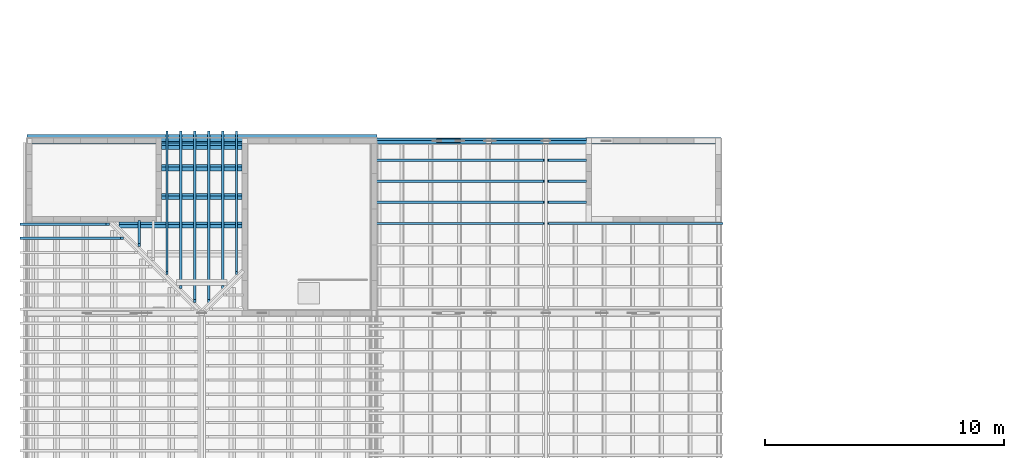
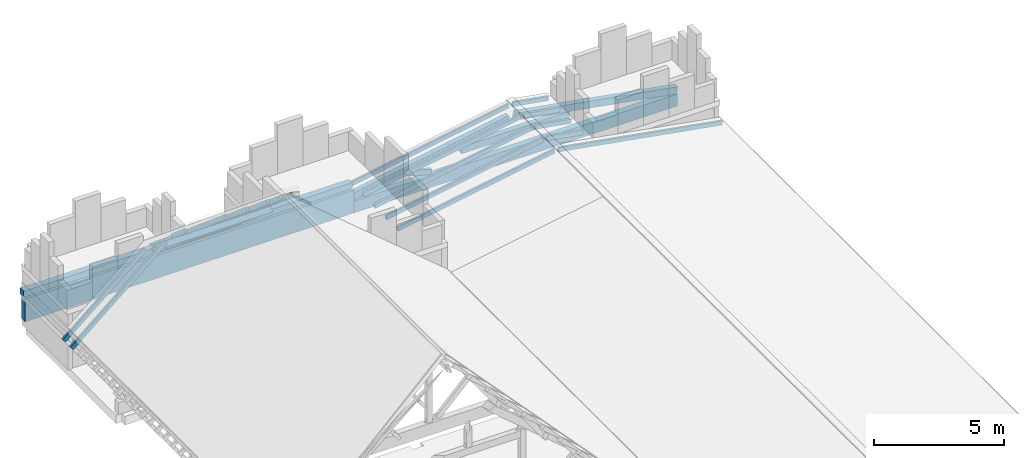
# One storey, part 6 of 28: 27 members, 3 beams.
"""IFC4 building model written with IfcOpenShell, lengths in metres."""

from ifc_helpers import new_model, si_unit, direction, frame, origin, origin_2d, place, context, subcontext, project, spatial, rectangle, extrude, material, material_profile, profile_set, type_object, element, save


model = new_model("IFC4")

# Units and contexts
model_context = context("Model", 3, precision=1e-05, world=origin(), true_north=direction((0.0, 1.0)))
body_context = subcontext(model_context, "Body", "Model", "MODEL_VIEW")
ifc_project = project(units=[si_unit("LENGTHUNIT", "METRE"), si_unit("AREAUNIT", "SQUARE_METRE"), si_unit("VOLUMEUNIT", "CUBIC_METRE"), si_unit("PLANEANGLEUNIT", "RADIAN"), si_unit("MASSUNIT", "GRAM", prefix="KILO")], contexts=[model_context])

# Site, building, storey
site_placement = place(None, origin())
site = spatial("IfcSite", under=ifc_project, at=site_placement, CompositionType="ELEMENT")
building_placement = place(site_placement, origin())
building = spatial("IfcBuilding", under=site, at=building_placement, Name="Mazhai Court Health Centre", CompositionType="ELEMENT")
storey_placement = place(building_placement, frame((0.0, 0.0, 18.0)))
storey = spatial("IfcBuildingStorey", under=building, at=storey_placement, Name="RF", CompositionType="ELEMENT", Elevation=18.0)

# Members
ifc_material_1 = material(Name="Glulam GL24h", Category="wood")
ifc_material_profile_1 = material_profile(ifc_material_1, rectangle(XDim=0.10009765625, YDim=0.199951171875, at=origin_2d()), Name="GL24h 100x200")
ifc_profile_set_1 = profile_set([ifc_material_profile_1], Name="Glulam GL24h")
member_type_1 = type_object("IfcMemberType", Name="GL24h 100x200 rafter", PredefinedType="RAFTER", material=ifc_profile_set_1)
member_1_placement = place(storey_placement, frame((5.860595703125, 38.122802734375, 1.238525390625), z_axis=(0.764220274365, 0.0, 0.644955325778), x_axis=(0.0, 1.0, 0.0)))
element("IfcMember", 1, at=member_1_placement, inside=storey, type_object=member_type_1, Name="Rafter RV2-RF53", PredefinedType="RAFTER", context=body_context, shape_type="SweptSolid", body=[
    extrude(rectangle(XDim=0.10009765625, YDim=0.199951171875, at=origin_2d()), origin(), (0.0, 0.0, 1.0), 5.4921875),
])
member_2_placement = place(storey_placement, frame((5.860595703125, 38.71533203125, 1.238525390625), z_axis=(0.764235679344, 0.0, 0.644937071672), x_axis=(0.0, 1.0, 0.0)))
element("IfcMember", 2, at=member_2_placement, inside=storey, type_object=member_type_1, Name="Rafter RV2-RF54", PredefinedType="RAFTER", context=body_context, shape_type="SweptSolid", body=[
    extrude(rectangle(XDim=0.10009765625, YDim=0.199951171875, at=origin_2d()), origin(), (0.0, 0.0, 1.0), 4.717041015625),
])
member_3_placement = place(storey_placement, frame((11.946044921875, 42.539306640625, 1.238525390625), z_axis=(0.0, -0.764209666433, 0.644967895115), x_axis=(1.0, 0.0, 0.0)))
element("IfcMember", 3, at=member_3_placement, inside=storey, type_object=member_type_1, Name="Rafter RV2-RF147", PredefinedType="RAFTER", context=body_context, shape_type="SweptSolid", body=[
    extrude(rectangle(XDim=0.10009765625, YDim=0.199951171875, at=origin_2d()), origin(), (0.0, 0.0, 1.0), 7.67578125),
])
member_4_placement = place(storey_placement, frame((12.527587890625, 42.539306640625, 1.238525390625), z_axis=(0.0, -0.764214371508, 0.644962320125), x_axis=(1.0, 0.0, 0.0)))
element("IfcMember", 4, at=member_4_placement, inside=storey, type_object=member_type_1, Name="Rafter RV2-RF148", PredefinedType="RAFTER", context=body_context, shape_type="SweptSolid", body=[
    extrude(rectangle(XDim=0.10009765625, YDim=0.199951171875, at=origin_2d()), origin(), (0.0, 0.0, 1.0), 8.436767578125),
])
for number, where, z_axis, x_axis, name in (
    (5, (13.109130859375, 42.539306640625, 1.238525390625), (0.0, -0.764229339092, 0.644944584651), (1.0, 0.0, 0.0), "Rafter RV2-RF149"),
    (6, (13.69091796875, 42.539306640625, 1.238525390625), (0.0, -0.764229339092, 0.644944584651), (1.0, 0.0, 0.0), "Rafter RV2-RF150"),
):
    element("IfcMember", number, at=place(storey_placement, frame(where, z_axis=z_axis, x_axis=x_axis)), inside=storey, type_object=member_type_1, Name=name, PredefinedType="RAFTER", context=body_context, shape_type="SweptSolid", body=[
        extrude(rectangle(XDim=0.10009765625, YDim=0.199951171875, at=origin_2d()), origin(), (0.0, 0.0, 1.0), 9.197998046875),
    ])
member_5_placement = place(storey_placement, frame((14.2724609375, 42.539306640625, 1.238525390625), z_axis=(0.0, -0.764214371508, 0.644962320125), x_axis=(1.0, 0.0, 0.0)))
element("IfcMember", 7, at=member_5_placement, inside=storey, type_object=member_type_1, Name="Rafter RV2-RF151", PredefinedType="RAFTER", context=body_context, shape_type="SweptSolid", body=[
    extrude(rectangle(XDim=0.10009765625, YDim=0.199951171875, at=origin_2d()), origin(), (0.0, 0.0, 1.0), 8.436767578125),
])
member_6_placement = place(storey_placement, frame((14.85400390625, 42.539306640625, 1.238525390625), z_axis=(0.0, -0.764209666433, 0.644967895115), x_axis=(1.0, 0.0, 0.0)))
element("IfcMember", 8, at=member_6_placement, inside=storey, type_object=member_type_1, Name="Rafter RV2-RF152", PredefinedType="RAFTER", context=body_context, shape_type="SweptSolid", body=[
    extrude(rectangle(XDim=0.10009765625, YDim=0.199951171875, at=origin_2d()), origin(), (0.0, 0.0, 1.0), 7.67578125),
])
member_7_placement = place(storey_placement, frame((35.178955078125, 38.744140625, 1.2197265625), z_axis=(-0.984808777057, 0.0, 0.173642369918), x_axis=(0.0, -1.0, 0.0)))
element("IfcMember", 9, at=member_7_placement, inside=storey, type_object=member_type_1, Name="Rafter RV5-RF47", PredefinedType="RAFTER", context=body_context, shape_type="SweptSolid", body=[
    extrude(rectangle(XDim=0.10009765625, YDim=0.199951171875, at=origin_2d()), origin(), (0.0, 0.0, 1.0), 7.404052734375),
])
for number, where, z_axis, x_axis, name in (
    (10, (20.72509765625, 38.744140625, 1.2734375), (0.984805720041, 0.0, 0.173659706825), (0.0, 1.0, 0.0), "Rafter RV5-RF38"),
    (11, (20.72509765625, 39.62548828125, 1.2734375), (0.984805720041, 0.0, 0.173659706825), (0.0, 1.0, 0.0), "Rafter RV5-RF39"),
    (12, (20.72509765625, 40.507080078125, 1.2734375), (0.984805720041, 0.0, 0.173659706825), (0.0, 1.0, 0.0), "Rafter RV5-RF40"),
    (13, (20.72509765625, 41.388427734375, 1.2734375), (0.984805720041, 0.0, 0.173659706825), (0.0, 1.0, 0.0), "Rafter RV5-RF41"),
    (14, (20.72509765625, 42.27001953125, 1.2734375), (0.984805720041, 0.0, 0.173659706825), (0.0, 1.0, 0.0), "Rafter RV5-RF42"),
):
    element("IfcMember", number, at=place(storey_placement, frame(where, z_axis=z_axis, x_axis=x_axis)), inside=storey, type_object=member_type_1, Name=name, PredefinedType="RAFTER", context=body_context, shape_type="SweptSolid", body=[
        extrude(rectangle(XDim=0.10009765625, YDim=0.199951171875, at=origin_2d()), origin(), (0.0, 0.0, 1.0), 7.095458984375),
    ])
member_8_placement = place(storey_placement, frame((10.78271484375, 38.81005859375, 4.3857421875), z_axis=(0.0, -0.764185223404, 0.644996856063), x_axis=(1.0, 0.0, 0.0)))
element("IfcMember", 15, at=member_8_placement, inside=storey, type_object=member_type_1, Name="Rafter RV2-RF145", PredefinedType="RAFTER", context=body_context, shape_type="SweptSolid", body=[
    extrude(rectangle(XDim=0.10009765625, YDim=0.199951171875, at=origin_2d()), origin(), (0.0, 0.0, 1.0), 1.274169921875),
])
for number, where, z_axis, x_axis, name in (
    (16, (29.47509765625, 42.27001953125, 2.2255859375), (-0.984798800426, 0.0, 0.173698942655), (0.0, -1.0, 0.0), "Rafter RV5-RF43"),
    (17, (29.47509765625, 41.388427734375, 2.2255859375), (-0.984798800426, 0.0, 0.173698942655), (0.0, -1.0, 0.0), "Rafter RV5-RF44"),
    (18, (29.47509765625, 40.507080078125, 2.2255859375), (-0.984798800426, 0.0, 0.173698942655), (0.0, -1.0, 0.0), "Rafter RV5-RF45"),
    (19, (29.47509765625, 39.62548828125, 2.2255859375), (-0.984798800426, 0.0, 0.173698942655), (0.0, -1.0, 0.0), "Rafter RV5-RF46"),
):
    element("IfcMember", number, at=place(storey_placement, frame(where, z_axis=z_axis, x_axis=x_axis)), inside=storey, type_object=member_type_1, Name=name, PredefinedType="RAFTER", context=body_context, shape_type="SweptSolid", body=[
        extrude(rectangle(XDim=0.10009765625, YDim=0.199951171875, at=origin_2d()), origin(), (0.0, 0.0, 1.0), 1.612060546875),
    ])
ifc_material_2 = material(Name="Glulam GL24h", Category="wood")
ifc_material_profile_2 = material_profile(ifc_material_2, rectangle(XDim=0.139892578125, YDim=0.239990234375, at=origin_2d()), Name="GL24h 140x240")
ifc_profile_set_2 = profile_set([ifc_material_profile_2], Name="Glulam GL24h")
member_type_2 = type_object("IfcMemberType", Name="GL24h 140x240 purlin", PredefinedType="PURLIN", material=ifc_profile_set_2)
member_9_placement = place(storey_placement, frame((9.938232421875, 38.677490234375, 4.2099609375), z_axis=(1.0, 0.0, 0.0), x_axis=(0.0, 0.764220419975, -0.644955153242)))
element("IfcMember", 20, at=member_9_placement, inside=storey, type_object=member_type_2, Name="Purlin RV2-PU24", PredefinedType="PURLIN", context=body_context, shape_type="SweptSolid", body=[
    extrude(rectangle(XDim=0.139892578125, YDim=0.239990234375, at=origin_2d()), origin(), (0.0, 0.0, 1.0), 5.13671875),
])
for number, where, z_axis, x_axis, name in (
    (21, (11.72509765625, 41.977294921875, 1.4248046875), (1.0, 0.0, 0.0), (0.0, 0.764220419975, -0.644955153242), "Purlin RV2-PU21"),
    (22, (11.72509765625, 41.077392578125, 2.184326171875), (1.0, 0.0, 0.0), (0.0, 0.764220419975, -0.644955153242), "Purlin RV2-PU22"),
    (23, (11.72509765625, 39.87744140625, 3.197265625), (1.0, 0.0, 0.0), (0.0, 0.764220419975, -0.644955153242), "Purlin RV2-PU23"),
):
    element("IfcMember", number, at=place(storey_placement, frame(where, z_axis=z_axis, x_axis=x_axis)), inside=storey, type_object=member_type_2, Name=name, PredefinedType="PURLIN", context=body_context, shape_type="SweptSolid", body=[
        extrude(rectangle(XDim=0.139892578125, YDim=0.239990234375, at=origin_2d()), origin(), (0.0, 0.0, 1.0), 3.349853515625),
    ])
ifc_material_3 = material(Name="Glulam GL24h", Category="wood")
ifc_material_profile_3 = material_profile(ifc_material_3, rectangle(XDim=0.139892578125, YDim=0.239990234375, at=origin_2d()), Name="GL24h 140x240")
ifc_profile_set_3 = profile_set([ifc_material_profile_3], Name="Glulam GL24h")
member_type_3 = type_object("IfcMemberType", Name="GL24h 140x240 strut", PredefinedType="BRACE", material=ifc_profile_set_3)
member_10_placement = place(storey_placement, frame((24.19873046875, 42.199951171875, 0.67578125), z_axis=(-0.964455702811, 0.0, 0.264244578591), x_axis=(0.0, -1.0, 0.0)))
element("IfcMember", 24, at=member_10_placement, inside=storey, type_object=member_type_3, Name="Strut TV5-6-S2", PredefinedType="BRACE", context=body_context, shape_type="SweptSolid", body=[
    extrude(rectangle(XDim=0.139892578125, YDim=0.239990234375, at=origin_2d()), origin(), (0.0, 0.0, 1.0), 0.989501953125),
])

# Beam
ifc_material_4 = material(Name="Glulam GL24h", Category="wood")
ifc_material_profile_4 = material_profile(ifc_material_4, rectangle(XDim=0.280029296875, YDim=0.280029296875, at=origin_2d()), Name="GL24h 280x280")
ifc_profile_set_4 = profile_set([ifc_material_profile_4], Name="Glulam GL24h")
beam_type_1 = type_object("IfcBeamType", Name="GL24h 280x280 hip end wall plate", PredefinedType="BEAM", material=ifc_profile_set_4)
beam_1_placement = place(storey_placement, frame((6.080078125, 42.320068359375, 1.219970703125), z_axis=(1.0, 0.0, 0.0), x_axis=(0.0, 1.0, 0.0)))
element("IfcBeam", 25, at=beam_1_placement, inside=storey, type_object=beam_type_1, Name="beam-V2-hipplate1", PredefinedType="BEAM", context=body_context, shape_type="SweptSolid", body=[
    extrude(rectangle(XDim=0.280029296875, YDim=0.280029296875, at=origin_2d()), origin(), (0.0, 0.0, 1.0), 14.639892578125),
])

# Members
ifc_material_5 = material(Name="Glulam GL28h", Category="wood")
ifc_material_profile_5 = material_profile(ifc_material_5, rectangle(XDim=0.239990234375, YDim=0.320068359375, at=origin_2d()), Name="GL28h 240x320")
ifc_profile_set_5 = profile_set([ifc_material_profile_5], Name="Glulam GL28h")
member_type_4 = type_object("IfcMemberType", Name="GL28h 240x320 collar", PredefinedType="COLLAR", material=ifc_profile_set_5)
member_11_placement = place(storey_placement, frame((30.320068359375, 42.199951171875, 1.246337890625), z_axis=(-1.0, 0.0, 0.0), x_axis=(0.0, -1.0, 0.0)))
element("IfcMember", 26, at=member_11_placement, inside=storey, type_object=member_type_4, Name="Collar TV5-6-SB1", PredefinedType="COLLAR", context=body_context, shape_type="SweptSolid", body=[
    extrude(rectangle(XDim=0.239990234375, YDim=0.320068359375, at=origin_2d()), origin(), (0.0, 0.0, 1.0), 4.800048828125),
])
ifc_material_6 = material(Name="Glulam GL28h", Category="wood")
ifc_material_profile_6 = material_profile(ifc_material_6, rectangle(XDim=0.239990234375, YDim=0.320068359375, at=origin_2d()), Name="GL28h 240x320")
ifc_profile_set_6 = profile_set([ifc_material_profile_6], Name="Glulam GL28h")
member_type_5 = type_object("IfcMemberType", Name="GL28h 240x320 rafter", PredefinedType="CHORD", material=ifc_profile_set_6)
for number, where, z_axis, x_axis, name in (
    (27, (35.1201171875, 42.199951171875, 0.722412109375), (-0.984807123642, 0.0, 0.173651746962), (0.0, -1.0, 0.0), "Rafter TV5-6-R1"),
    (28, (27.667236328125, 42.199951171875, 1.98974609375), (-0.984807123642, 0.0, -0.173651746962), (0.0, -1.0, 0.0), "Rafter TV5-6-R8"),
):
    element("IfcMember", number, at=place(storey_placement, frame(where, z_axis=z_axis, x_axis=x_axis)), inside=storey, type_object=member_type_5, Name=name, PredefinedType="CHORD", context=body_context, shape_type="SweptSolid", body=[
        extrude(rectangle(XDim=0.239990234375, YDim=0.320068359375, at=origin_2d()), origin(), (0.0, 0.0, 1.0), 7.298095703125),
    ])

# Beams
ifc_material_7 = material(Name="Glulam GL28h", Category="wood")
ifc_material_profile_7 = material_profile(ifc_material_7, rectangle(XDim=0.280029296875, YDim=1.080078125, at=origin_2d()), Name="GL28h 280x1080")
ifc_profile_set_7 = profile_set([ifc_material_profile_7], Name="Glulam GL28h")
beam_type_2 = type_object("IfcBeamType", Name="GL28h 280x1080 hip end beam", PredefinedType="BEAM", material=ifc_profile_set_7)
beam_2_placement = place(storey_placement, frame((6.080078125, 42.199951171875, 0.5400390625), z_axis=(1.0, 0.0, 0.0), x_axis=(0.0, 1.0, 0.0)))
element("IfcBeam", 29, at=beam_2_placement, inside=storey, type_object=beam_type_2, Name="beam-V2-hipend1", PredefinedType="BEAM", context=body_context, shape_type="SweptSolid", body=[
    extrude(rectangle(XDim=0.280029296875, YDim=1.080078125, at=origin_2d()), origin(), (0.0, 0.0, 1.0), 14.639892578125),
])
ifc_material_8 = material(Name="Glulam GL28h", Category="wood")
ifc_material_profile_8 = material_profile(ifc_material_8, rectangle(XDim=0.280029296875, YDim=0.56005859375, at=origin_2d()), Name="GL28h 280x560")
ifc_profile_set_8 = profile_set([ifc_material_profile_8], Name="Glulam GL28h")
beam_type_3 = type_object("IfcBeamType", Name="GL28h 280x560 tie", PredefinedType="BEAM", material=ifc_profile_set_8)
beam_3_placement = place(storey_placement, frame((35.1201171875, 42.199951171875, 0.280029296875), z_axis=(-1.0, 0.0, 0.0), x_axis=(0.0, -1.0, 0.0)))
element("IfcBeam", 30, at=beam_3_placement, inside=storey, type_object=beam_type_3, Name="Tie TV5-6-TB1", PredefinedType="BEAM", context=body_context, shape_type="SweptSolid", body=[
    extrude(rectangle(XDim=0.280029296875, YDim=0.56005859375, at=origin_2d()), origin(), (0.0, 0.0, 1.0), 14.64013671875),
])

save(model, "model.ifc")
